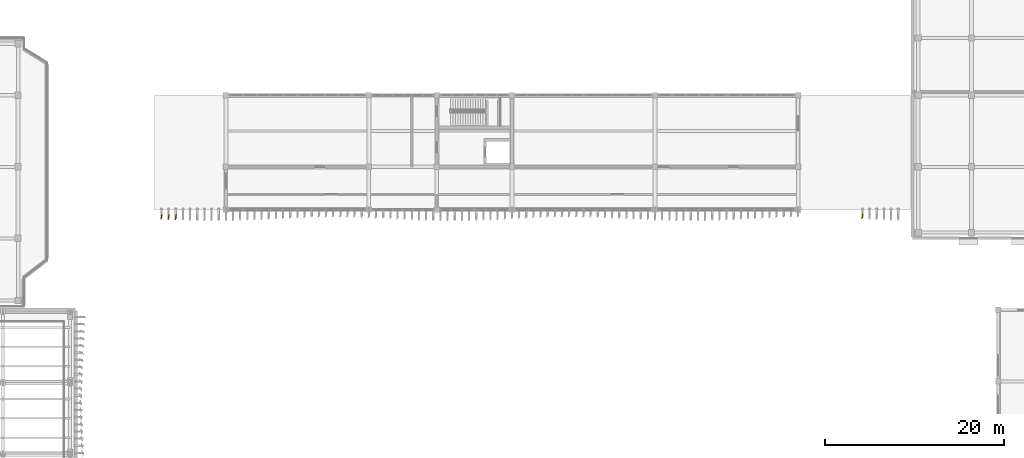
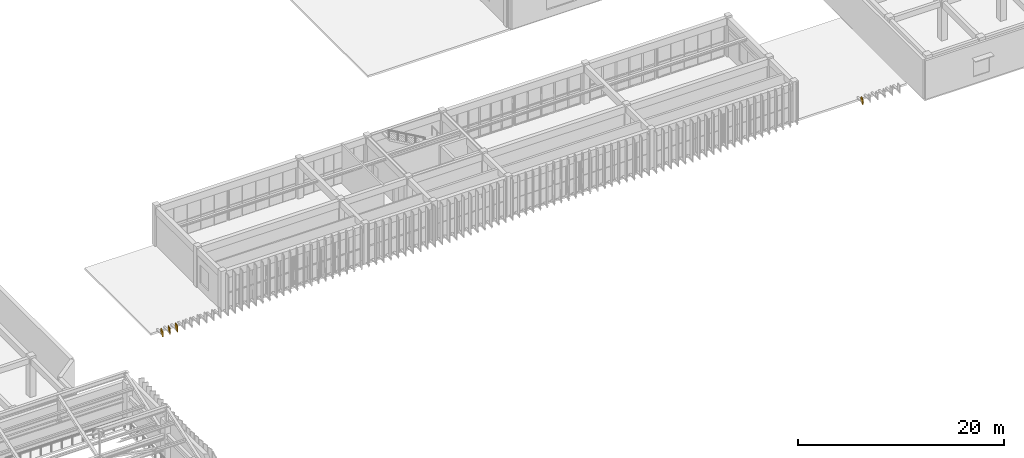
# One storey, part 75 of 76: 4 coverings.
"""IFC4 building model written with IfcOpenShell, lengths in metres."""

from ifc_helpers import new_model, si_unit, direction, frame, origin, origin_2d, place, context, subcontext, project, spatial, rectangle, extrude, material, layer, layer_set, type_object, element, save


model = new_model("IFC4")

# Units and contexts
model_context = context("Model", 3, precision=1e-05, world=origin(), true_north=direction((0.0, 1.0)))
body_context = subcontext(model_context, "Body", "Model", "MODEL_VIEW")
ifc_project = project(units=[si_unit("LENGTHUNIT", "METRE"), si_unit("AREAUNIT", "SQUARE_METRE"), si_unit("VOLUMEUNIT", "CUBIC_METRE"), si_unit("PLANEANGLEUNIT", "RADIAN"), si_unit("MASSUNIT", "GRAM", prefix="KILO")], contexts=[model_context])

# Site, building, storey
site_placement = place(None, origin())
site = spatial("IfcSite", under=ifc_project, at=site_placement, CompositionType="ELEMENT")
building_placement = place(site_placement, origin())
building = spatial("IfcBuilding", under=site, at=building_placement, Name="Cinchona Park Media Centre", CompositionType="ELEMENT")
storey_placement = place(building_placement, frame((0.0, 0.0, 15.60009765625)))
storey = spatial("IfcBuildingStorey", under=building, at=storey_placement, Name="L03", CompositionType="ELEMENT", Elevation=15.60009765625)

# Coverings
ifc_material = material(Name="Anodised Storm-Resistant Aluminium Fin", Category="aluminium")
ifc_layer = layer(ifc_material, 0.090087890625)
ifc_layer_set = layer_set([ifc_layer], Name="Anodised Storm-Resistant Aluminium Fin")
covering_type = type_object("IfcCoveringType", Name="CLADDING-FIN01", PredefinedType="CLADDING", material=ifc_layer_set)
covering_1_placement = place(storey_placement, frame((55.60009765625, 74.030029296875, -0.00048828125), z_axis=(0.0, 0.0, 1.0), x_axis=(0.213541936916, 0.97693389806, 0.0)))
element("IfcCovering", 1, at=covering_1_placement, inside=storey, type_object=covering_type, Name="Twisting Vertical Facade Fin L03", PredefinedType="CLADDING", context=body_context, shape_type="SweptSolid", body=[
    extrude(rectangle(XDim=0.56005859375, YDim=0.090087890625, at=origin_2d()), origin(), (0.0, 0.0, 1.0), 0.593017578125),
])
covering_2_placement = place(storey_placement, frame((56.39990234375, 73.990966796875, 0.00048828125), z_axis=(0.0, 0.0, 1.0), x_axis=(0.191322947989, 0.981527141537, 0.0)))
element("IfcCovering", 2, at=covering_2_placement, inside=storey, type_object=covering_type, Name="Twisting Vertical Facade Fin L03", PredefinedType="CLADDING", context=body_context, shape_type="SweptSolid", body=[
    extrude(rectangle(XDim=0.56005859375, YDim=0.090087890625, at=origin_2d()), origin(), (0.0, 0.0, 1.0), 0.677001953125),
])
covering_3_placement = place(storey_placement, frame((57.199951171875, 73.9541015625, 0.0), z_axis=(0.0, 0.0, 1.0), x_axis=(0.170037510451, 0.985437590637, 0.0)))
element("IfcCovering", 3, at=covering_3_placement, inside=storey, type_object=covering_type, Name="Twisting Vertical Facade Fin L03", PredefinedType="CLADDING", context=body_context, shape_type="SweptSolid", body=[
    extrude(rectangle(XDim=0.56005859375, YDim=0.090087890625, at=origin_2d()), origin(), (0.0, 0.0, 1.0), 0.756103515625),
])
covering_4_placement = place(storey_placement, frame((134.0, 74.070068359375, 0.00048828125), z_axis=(0.0, 0.0, 1.0), x_axis=(0.236329411694, 0.971672994977, 0.0)))
element("IfcCovering", 4, at=covering_4_placement, inside=storey, type_object=covering_type, Name="Twisting Vertical Facade Fin L03", PredefinedType="CLADDING", context=body_context, shape_type="SweptSolid", body=[
    extrude(rectangle(XDim=0.56005859375, YDim=0.090087890625, at=origin_2d()), origin(), (0.0, 0.0, 1.0), 0.507080078125),
])

save(model, "model.ifc")
